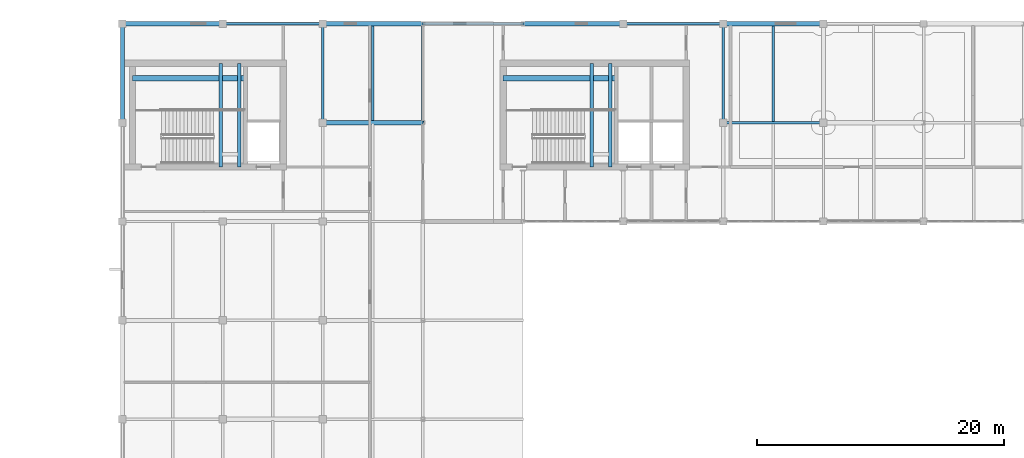
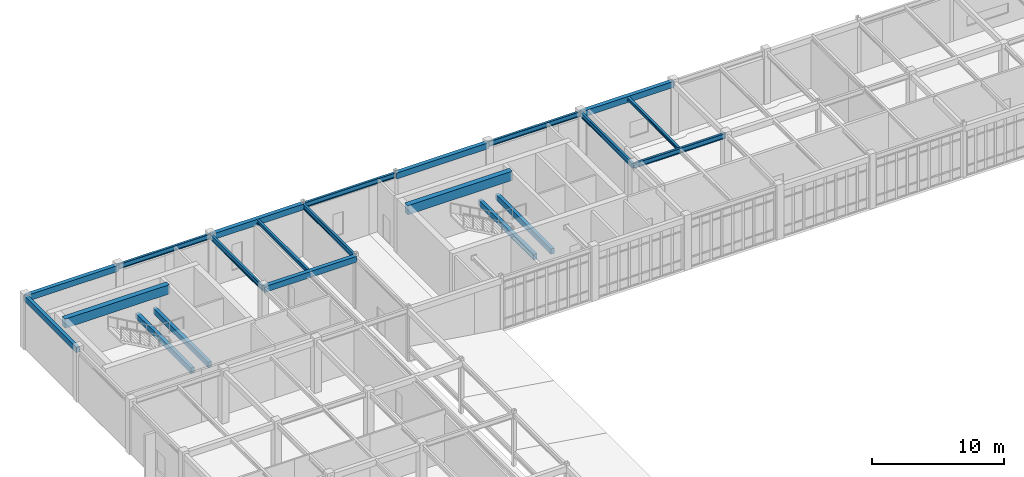
# One storey, part 23 of 70: 21 beams.
"""IFC4 building model written with IfcOpenShell, lengths in metres."""

from ifc_helpers import new_model, si_unit, direction, frame, origin, origin_2d, place, context, subcontext, project, spatial, rectangle, i_section, extrude, material, material_profile, profile_set, type_object, element, save


model = new_model("IFC4")

# Units and contexts
model_context = context("Model", 3, precision=1e-05, world=origin(), true_north=direction((0.0, 1.0)))
body_context = subcontext(model_context, "Body", "Model", "MODEL_VIEW")
ifc_project = project(units=[si_unit("LENGTHUNIT", "METRE"), si_unit("AREAUNIT", "SQUARE_METRE"), si_unit("VOLUMEUNIT", "CUBIC_METRE"), si_unit("PLANEANGLEUNIT", "RADIAN"), si_unit("MASSUNIT", "GRAM", prefix="KILO")], contexts=[model_context])

# Site, building, storey
site_placement = place(None, origin())
site = spatial("IfcSite", under=ifc_project, at=site_placement, CompositionType="ELEMENT")
building_placement = place(site_placement, origin())
building = spatial("IfcBuilding", under=site, at=building_placement, Name="Tarnveldt Square Police Headquarters", CompositionType="ELEMENT")
storey_placement = place(building_placement, frame((0.0, 0.0, 19.800048828125)))
storey = spatial("IfcBuildingStorey", under=building, at=storey_placement, Name="L04", CompositionType="ELEMENT", Elevation=19.800048828125)

# Beams
ifc_material_1 = material(Name="Concrete 50 MPa", Category="concrete")
ifc_material_profile_1 = material_profile(ifc_material_1, rectangle(XDim=0.449951171875, YDim=0.85009765625, at=origin_2d()), Name="RC-CB450x850")
ifc_profile_set_1 = profile_set([ifc_material_profile_1], Name="Concrete 50 MPa")
beam_type_1 = type_object("IfcBeamType", Name="BM-CB450x850", PredefinedType="BEAM", material=ifc_profile_set_1)
for number, where, z_axis, x_axis, name in (
    (1, (17.0, 107.60009765625, 4.675048828125), (1.0, 0.0, 0.0), (0.0, 1.0, 0.0), "Core K2 North-West Operations Core L04 Ductile Coupling Beam"),
    (2, (47.0, 107.60009765625, 4.675048828125), (1.0, 0.0, 0.0), (0.0, 1.0, 0.0), "Core K3 North-Central Forensic and Firefighting Core L04 Ductile Coupling Beam"),
):
    element("IfcBeam", number, at=place(storey_placement, frame(where, z_axis=z_axis, x_axis=x_axis)), inside=storey, type_object=beam_type_1, Name=name, PredefinedType="BEAM", context=body_context, shape_type="SweptSolid", body=[
        extrude(rectangle(XDim=0.449951171875, YDim=0.85009765625, at=origin_2d()), origin(), (0.0, 0.0, 1.0), 9.14990234375),
    ])
ifc_material_2 = material(Name="Concrete 40 MPa", Category="concrete")
ifc_material_profile_2 = material_profile(ifc_material_2, rectangle(XDim=0.300048828125, YDim=0.5, at=origin_2d()), Name="RC-B300x500")
ifc_profile_set_2 = profile_set([ifc_material_profile_2], Name="Concrete 40 MPa")
beam_type_2 = type_object("IfcBeamType", Name="BM-RC300x500", PredefinedType="BEAM", material=ifc_profile_set_2)
for number, where, z_axis, x_axis, name in (
    (3, (24.14990234375, 100.39990234375, 2.099853515625), (0.0, 1.0, 0.0), (-1.0, 0.0, 0.0), "ST2 L04 Half-Landing Support Beam 1"),
    (4, (25.64990234375, 100.39990234375, 2.099853515625), (0.0, 1.0, 0.0), (-1.0, 0.0, 0.0), "ST2 L04 Half-Landing Transverse Support Beam"),
    (5, (54.14990234375, 100.39990234375, 2.099853515625), (0.0, 1.0, 0.0), (-1.0, 0.0, 0.0), "ST3 L04 Half-Landing Support Beam 1"),
    (6, (55.64990234375, 100.39990234375, 2.099853515625), (0.0, 1.0, 0.0), (-1.0, 0.0, 0.0), "ST3 L04 Half-Landing Transverse Support Beam"),
):
    element("IfcBeam", number, at=place(storey_placement, frame(where, z_axis=z_axis, x_axis=x_axis)), inside=storey, type_object=beam_type_2, Name=name, PredefinedType="BEAM", context=body_context, shape_type="SweptSolid", body=[
        extrude(rectangle(XDim=0.300048828125, YDim=0.5, at=origin_2d()), origin(), (0.0, 0.0, 1.0), 8.400146484375),
    ])
beam_1_placement = place(storey_placement, frame((16.199951171875, 104.0, 4.60986328125), z_axis=(0.0, 1.0, 0.0), x_axis=(-1.0, 0.0, 0.0)))
element("IfcBeam", 7, at=beam_1_placement, inside=storey, type_object=beam_type_2, Name="L05 Grid Girder Y-0973", PredefinedType="BEAM", context=body_context, shape_type="SweptSolid", body=[
    extrude(rectangle(XDim=0.300048828125, YDim=0.5, at=origin_2d()), origin(), (0.0, 0.0, 1.0), 8.0),
])
ifc_material_profile_3 = material_profile(ifc_material_2, rectangle(XDim=0.35009765625, YDim=0.550048828125, at=origin_2d()), Name="RC-B350x550")
ifc_profile_set_3 = profile_set([ifc_material_profile_3], Name="Concrete 40 MPa")
beam_type_3 = type_object("IfcBeamType", Name="BM-RC350x550", PredefinedType="BEAM", material=ifc_profile_set_3)
for number, where, z_axis, x_axis, name in (
    (8, (32.39990234375, 104.0, 4.5849609375), (1.0, 0.0, 0.0), (0.0, 1.0, 0.0), "L05 Grid Girder X-0948"),
    (9, (16.199951171875, 112.0, 4.5849609375), (1.0, 0.0, 0.0), (0.0, 1.0, 0.0), "L05 Grid Girder X-0954"),
    (10, (32.39990234375, 112.0, 4.5849609375), (1.0, 0.0, 0.0), (0.0, 1.0, 0.0), "L05 Grid Girder X-0956"),
):
    element("IfcBeam", number, at=place(storey_placement, frame(where, z_axis=z_axis, x_axis=x_axis)), inside=storey, type_object=beam_type_3, Name=name, PredefinedType="BEAM", context=body_context, shape_type="SweptSolid", body=[
        extrude(rectangle(XDim=0.35009765625, YDim=0.550048828125, at=origin_2d()), origin(), (0.0, 0.0, 1.0), 8.10009765625),
    ])
for number, where, z_axis, x_axis, name in (
    (11, (48.60009765625, 112.0, 4.5849609375), (1.0, 0.0, 0.0), (0.0, 1.0, 0.0), "L05 Grid Girder X-0958"),
    (12, (64.800048828125, 112.0, 4.5849609375), (1.0, 0.0, 0.0), (0.0, 1.0, 0.0), "L05 Grid Girder X-0960"),
):
    element("IfcBeam", number, at=place(storey_placement, frame(where, z_axis=z_axis, x_axis=x_axis)), inside=storey, type_object=beam_type_3, Name=name, PredefinedType="BEAM", context=body_context, shape_type="SweptSolid", body=[
        extrude(rectangle(XDim=0.35009765625, YDim=0.550048828125, at=origin_2d()), origin(), (0.0, 0.0, 1.0), 8.099853515625),
    ])
ifc_material_3 = material(Name="Steel 350W", Category="steel")
ifc_material_profile_4 = material_profile(ifc_material_3, i_section(OverallWidth=0.202880859375, OverallDepth=0.302978515625, WebThickness=0.007568359375, FlangeThickness=0.01318359375, FilletRadius=0.014892578125, at=origin_2d()), Name="W310x60")
ifc_profile_set_4 = profile_set([ifc_material_profile_4], Name="Steel 350W")
beam_type_4 = type_object("IfcBeamType", Name="BM-W310x60", PredefinedType="JOIST", material=ifc_profile_set_4)
beam_2_placement = place(storey_placement, frame((68.85009765625, 104.080078125, 4.70849609375), z_axis=(0.0, 1.0, 0.0), x_axis=(-1.0, 0.0, 0.0)))
element("IfcBeam", 13, at=beam_2_placement, inside=storey, type_object=beam_type_4, Name="L05 Secondary Floor Joist 0232", PredefinedType="JOIST", context=body_context, shape_type="SweptSolid", body=[
    extrude(i_section(OverallWidth=0.202880859375, OverallDepth=0.302978515625, WebThickness=0.007568359375, FlangeThickness=0.01318359375, FilletRadius=0.014892578125, at=origin_2d()), origin(), (0.0, 0.0, 1.0), 7.83984375),
])
ifc_material_profile_5 = material_profile(ifc_material_3, i_section(OverallWidth=0.202880859375, OverallDepth=0.346923828125, WebThickness=0.0078125, FlangeThickness=0.013427734375, FilletRadius=0.01611328125, at=origin_2d()), Name="W360x64")
ifc_profile_set_5 = profile_set([ifc_material_profile_5], Name="Steel 350W")
beam_type_5 = type_object("IfcBeamType", Name="BM-W360x64", PredefinedType="JOIST", material=ifc_profile_set_5)
beam_3_placement = place(storey_placement, frame((36.449951171875, 104.080078125, 4.6865234375), z_axis=(0.0, 1.0, 0.0), x_axis=(-1.0, 0.0, 0.0)))
element("IfcBeam", 14, at=beam_3_placement, inside=storey, type_object=beam_type_5, Name="L05 Secondary Floor Joist 0231", PredefinedType="JOIST", context=body_context, shape_type="SweptSolid", body=[
    extrude(i_section(OverallWidth=0.202880859375, OverallDepth=0.346923828125, WebThickness=0.0078125, FlangeThickness=0.013427734375, FilletRadius=0.01611328125, at=origin_2d()), origin(), (0.0, 0.0, 1.0), 7.83984375),
])
ifc_material_profile_6 = material_profile(ifc_material_3, i_section(OverallWidth=0.19189453125, OverallDepth=0.462890625, WebThickness=0.010498046875, FlangeThickness=0.017578125, FilletRadius=0.01806640625, at=origin_2d()), Name="W460x89")
ifc_profile_set_6 = profile_set([ifc_material_profile_6], Name="Steel 350W")
beam_type_6 = type_object("IfcBeamType", Name="BM-W460x89", PredefinedType="BEAM", material=ifc_profile_set_6)
for number, where, z_axis, x_axis, name in (
    (15, (64.800048828125, 104.0, 4.62841796875), (1.0, 0.0, 0.0), (0.0, 1.0, 0.0), "L05 Grid Girder X-0949"),
    (16, (24.300048828125, 112.0, 4.62841796875), (1.0, 0.0, 0.0), (0.0, 1.0, 0.0), "L05 Grid Girder X-0955"),
):
    element("IfcBeam", number, at=place(storey_placement, frame(where, z_axis=z_axis, x_axis=x_axis)), inside=storey, type_object=beam_type_6, Name=name, PredefinedType="BEAM", context=body_context, shape_type="SweptSolid", body=[
        extrude(i_section(OverallWidth=0.19189453125, OverallDepth=0.462890625, WebThickness=0.010498046875, FlangeThickness=0.017578125, FilletRadius=0.01806640625, at=origin_2d()), origin(), (0.0, 0.0, 1.0), 8.099853515625),
    ])
for number, where, z_axis, x_axis, name in (
    (17, (40.5, 112.0, 4.62841796875), (1.0, 0.0, 0.0), (0.0, 1.0, 0.0), "L05 Grid Girder X-0957"),
    (18, (56.699951171875, 112.0, 4.62841796875), (1.0, 0.0, 0.0), (0.0, 1.0, 0.0), "L05 Grid Girder X-0959"),
):
    element("IfcBeam", number, at=place(storey_placement, frame(where, z_axis=z_axis, x_axis=x_axis)), inside=storey, type_object=beam_type_6, Name=name, PredefinedType="BEAM", context=body_context, shape_type="SweptSolid", body=[
        extrude(i_section(OverallWidth=0.19189453125, OverallDepth=0.462890625, WebThickness=0.010498046875, FlangeThickness=0.017578125, FilletRadius=0.01806640625, at=origin_2d()), origin(), (0.0, 0.0, 1.0), 8.10009765625),
    ])
for number, where, z_axis, x_axis, name in (
    (19, (32.39990234375, 104.0, 4.62841796875), (0.0, 1.0, 0.0), (-1.0, 0.0, 0.0), "L05 Grid Girder Y-0987"),
    (20, (40.5, 104.0, 4.62841796875), (0.0, 1.0, 0.0), (-1.0, 0.0, 0.0), "L05 Grid Girder Y-0996"),
    (21, (64.800048828125, 104.0, 4.62841796875), (0.0, 1.0, 0.0), (-1.0, 0.0, 0.0), "L05 Grid Girder Y-0998"),
):
    element("IfcBeam", number, at=place(storey_placement, frame(where, z_axis=z_axis, x_axis=x_axis)), inside=storey, type_object=beam_type_6, Name=name, PredefinedType="BEAM", context=body_context, shape_type="SweptSolid", body=[
        extrude(i_section(OverallWidth=0.19189453125, OverallDepth=0.462890625, WebThickness=0.010498046875, FlangeThickness=0.017578125, FilletRadius=0.01806640625, at=origin_2d()), origin(), (0.0, 0.0, 1.0), 8.0),
    ])

save(model, "model.ifc")
